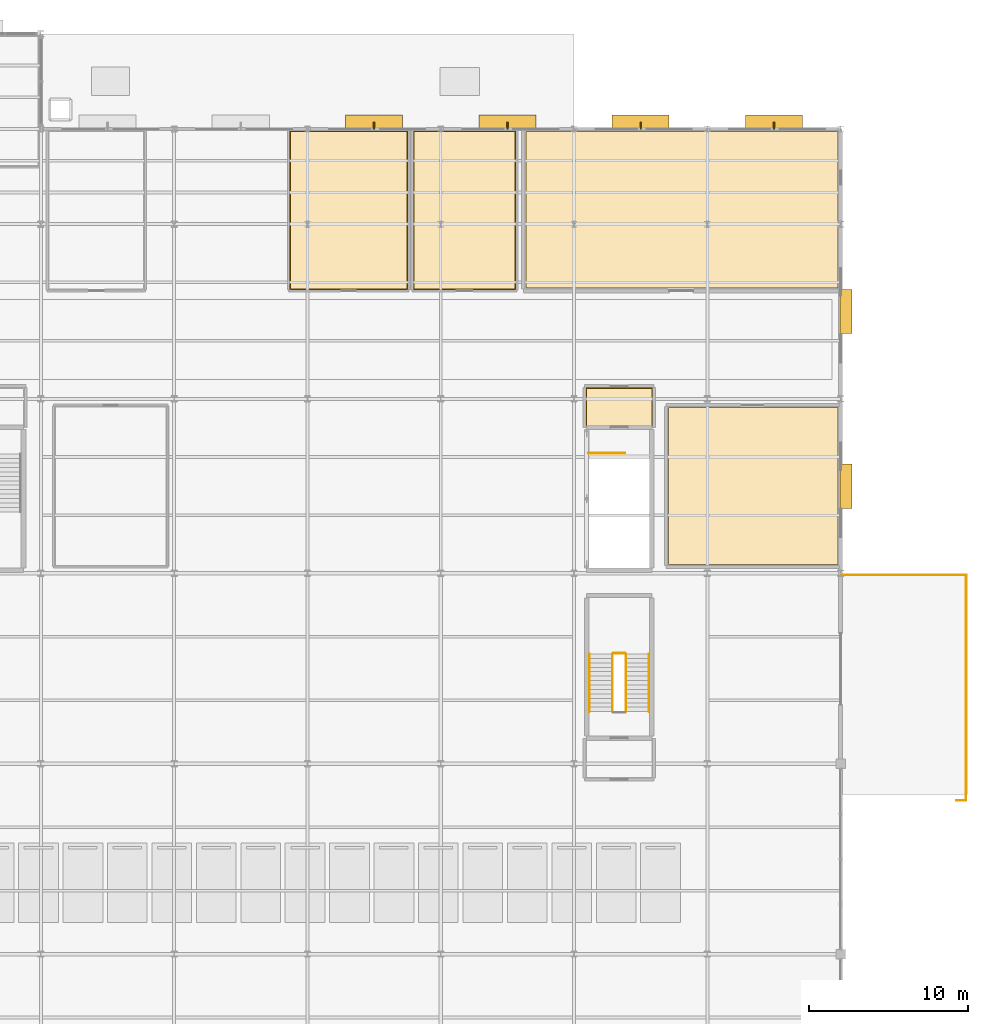
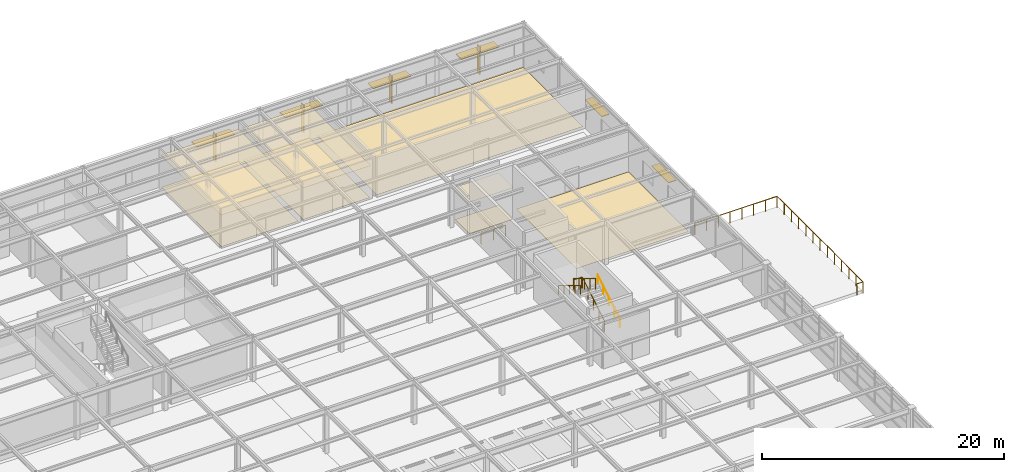
# One storey, part 82 of 82: 10 shading devices, 9 railings, 8 coverings.
"""IFC4 building model written with IfcOpenShell, lengths in metres."""

from ifc_helpers import new_model, si_unit, direction, frame, origin, origin_2d, place, context, subcontext, project, spatial, polyline, rectangle, circle, outline, extrude, material, layer, layer_set, type_object, element, save


model = new_model("IFC4")

# Units and contexts
model_context = context("Model", 3, precision=1e-05, world=origin(), true_north=direction((0.0, 1.0)))
body_context = subcontext(model_context, "Body", "Model", "MODEL_VIEW")
ifc_project = project(units=[si_unit("LENGTHUNIT", "METRE"), si_unit("AREAUNIT", "SQUARE_METRE"), si_unit("VOLUMEUNIT", "CUBIC_METRE"), si_unit("PLANEANGLEUNIT", "RADIAN"), si_unit("MASSUNIT", "GRAM", prefix="KILO")], contexts=[model_context])

# Site, building, storey
site_placement = place(None, origin())
site = spatial("IfcSite", under=ifc_project, at=site_placement, CompositionType="ELEMENT")
building_placement = place(site_placement, origin())
building = spatial("IfcBuilding", under=site, at=building_placement, Name="Sitalva Quay Ferry Terminal", CompositionType="ELEMENT")
storey_placement = place(building_placement, frame((0.0, 0.0, 5.39990234375)))
storey = spatial("IfcBuildingStorey", under=building, at=storey_placement, Name="L02", CompositionType="ELEMENT", Elevation=5.39990234375)

# Coverings
ifc_material_1 = material(Name="Moisture-Resistant Acoustic Gypsum Ceiling", Category="gypsum")
ifc_layer_1 = layer(ifc_material_1, 0.02490234375)
ifc_layer_set_1 = layer_set([ifc_layer_1], Name="Moisture-Resistant Acoustic Gypsum Ceiling")
covering_type_1 = type_object("IfcCoveringType", Name="Ceiling_GypsumMoisture_25", PredefinedType="CEILING", material=ifc_layer_set_1)
covering_1_placement = place(storey_placement, frame((0.0, 0.0, 3.22509765625)))
element("IfcCovering", 1, at=covering_1_placement, inside=storey, type_object=covering_type_1, Name="Firefighting & Lift Lobby C10 ceiling", PredefinedType="CEILING", context=body_context, shape_type="SweptSolid", body=[
    extrude(outline(polyline([(151.93994140625, 87.239990234375), (156.159912109375, 87.239990234375), (156.159912109375, 89.7099609375), (151.93994140625, 89.7099609375), (151.93994140625, 87.239990234375)])), origin(), (0.0, 0.0, 1.0), 0.02490234375),
])
covering_2_placement = place(storey_placement, frame((0.0, 0.0, 3.22509765625)))
element("IfcCovering", 2, at=covering_2_placement, inside=storey, type_object=covering_type_1, Name="L02 East Female Toilets ceiling", PredefinedType="CEILING", context=body_context, shape_type="SweptSolid", body=[
    extrude(outline(polyline([(133.27001953125, 95.8701171875), (140.72998046875, 95.8701171875), (140.72998046875, 105.8798828125), (133.27001953125, 105.8798828125), (133.27001953125, 95.8701171875)])), origin(), (0.0, 0.0, 1.0), 0.02490234375),
])
covering_3_placement = place(storey_placement, frame((0.0, 0.0, 3.22509765625)))
element("IfcCovering", 3, at=covering_3_placement, inside=storey, type_object=covering_type_1, Name="L02 East Accessible WC ceiling", PredefinedType="CEILING", context=body_context, shape_type="SweptSolid", body=[
    extrude(outline(polyline([(141.070068359375, 95.8701171875), (147.530029296875, 95.8701171875), (147.530029296875, 105.8798828125), (141.070068359375, 105.8798828125), (141.070068359375, 95.8701171875)])), origin(), (0.0, 0.0, 1.0), 0.02490234375),
])
ifc_material_2 = material(Name="Anti-Slip Porcelain Tile", Category="ceramic")
ifc_layer_2 = layer(ifc_material_2, 0.02001953125)
ifc_layer_set_2 = layer_set([ifc_layer_2], Name="Anti-Slip Porcelain Tile")
covering_type_2 = type_object("IfcCoveringType", Name="Finish_CeramicWet_20", PredefinedType="FLOORING", material=ifc_layer_set_2)
covering_4_placement = place(storey_placement, origin())
element("IfcCovering", 4, at=covering_4_placement, inside=storey, type_object=covering_type_2, Name="L02 East Female Toilets floor finish", PredefinedType="FLOORING", context=body_context, shape_type="SweptSolid", body=[
    extrude(outline(polyline([(133.320068359375, 95.919921875), (140.679931640625, 95.919921875), (140.679931640625, 105.830078125), (133.320068359375, 105.830078125), (133.320068359375, 95.919921875)])), origin(), (0.0, 0.0, 1.0), 0.02001953125),
])
covering_5_placement = place(storey_placement, origin())
element("IfcCovering", 5, at=covering_5_placement, inside=storey, type_object=covering_type_2, Name="L02 East Accessible WC floor finish", PredefinedType="FLOORING", context=body_context, shape_type="SweptSolid", body=[
    extrude(outline(polyline([(141.1201171875, 95.919921875), (147.47998046875, 95.919921875), (147.47998046875, 105.830078125), (141.1201171875, 105.830078125), (141.1201171875, 95.919921875)])), origin(), (0.0, 0.0, 1.0), 0.02001953125),
])
ifc_material_3 = material(Name="Chemical-Resistant Epoxy Screed", Category="polymer")
ifc_layer_3 = layer(ifc_material_3, 0.011962890625)
ifc_layer_set_3 = layer_set([ifc_layer_3], Name="Chemical-Resistant Epoxy Screed")
covering_type_3 = type_object("IfcCoveringType", Name="Finish_EpoxyPlant_12", PredefinedType="FLOORING", material=ifc_layer_set_3)
covering_6_placement = place(storey_placement, origin())
element("IfcCovering", 6, at=covering_6_placement, inside=storey, type_object=covering_type_3, Name="East Concourse AHU & Heat-Recovery Plant floor finish", PredefinedType="FLOORING", context=body_context, shape_type="SweptSolid", body=[
    extrude(outline(polyline([(148.169921875, 95.969970703125), (167.830078125, 95.969970703125), (167.830078125, 105.830078125), (148.169921875, 105.830078125), (148.169921875, 95.969970703125)])), origin(), (0.0, 0.0, 1.0), 0.01220703125),
])
covering_7_placement = place(storey_placement, origin())
element("IfcCovering", 7, at=covering_7_placement, inside=storey, type_object=covering_type_3, Name="Deck Maintenance & Spill Response Store floor finish", PredefinedType="FLOORING", context=body_context, shape_type="SweptSolid", body=[
    extrude(outline(polyline([(157.139892578125, 78.5400390625), (167.830078125, 78.5400390625), (167.830078125, 88.4599609375), (157.139892578125, 88.4599609375), (157.139892578125, 78.5400390625)])), origin(), (0.0, 0.0, 1.0), 0.01220703125),
])
ifc_material_4 = material(Name="Flamed Non-Slip Granite Paving", Category="masonry")
ifc_layer_4 = layer(ifc_material_4, 0.034912109375)
ifc_layer_set_4 = layer_set([ifc_layer_4], Name="Flamed Non-Slip Granite Paving")
covering_type_4 = type_object("IfcCoveringType", Name="Finish_Granite_35", PredefinedType="FLOORING", material=ifc_layer_set_4)
covering_8_placement = place(storey_placement, origin())
element("IfcCovering", 8, at=covering_8_placement, inside=storey, type_object=covering_type_4, Name="Firefighting & Lift Lobby C10 floor finish", PredefinedType="FLOORING", context=body_context, shape_type="SweptSolid", body=[
    extrude(outline(polyline([(151.989990234375, 87.2900390625), (156.110107421875, 87.2900390625), (156.110107421875, 89.659912109375), (151.989990234375, 89.659912109375), (151.989990234375, 87.2900390625)])), origin(), (0.0, 0.0, 1.0), 0.03515625),
])

# Railings
ifc_material_5 = material(Name="Galvanised Steel S275JR", Category="steel")
railing_type_1 = type_object("IfcRailingType", Name="Railing_Guard_1100", PredefinedType="GUARDRAIL", material=ifc_material_5)
railing_1_placement = place(storey_placement, frame((154.469970703125, 69.280029296875, 0.171630859375)))
element("IfcRailing", 9, at=railing_1_placement, inside=storey, type_object=railing_type_1, Name="L02 ST-09 stair guard 1", PredefinedType="GUARDRAIL", context=body_context, shape_type="SweptSolid", body=[
    extrude(circle(Radius=0.02392578125, at=origin_2d()), frame((0.0, 0.0, 1.076171875), z_axis=(0.0, 0.852850264322, 0.5221555579), x_axis=(-1.0, 0.0, 0.0)), (0.0, 0.0, 1.0), 4.267822265625),
    extrude(circle(Radius=0.02099609375, at=origin_2d()), origin(), (0.0, 0.0, 1.0), 1.052001953125),
    extrude(circle(Radius=0.02099609375, at=origin_2d()), frame((0.0, 0.909912109375, 0.55712890625)), (0.0, 0.0, 1.0), 1.052001953125),
    extrude(circle(Radius=0.02099609375, at=origin_2d()), frame((0.0, 1.81982421875, 1.1142578125)), (0.0, 0.0, 1.0), 1.052001953125),
    extrude(circle(Radius=0.02099609375, at=origin_2d()), frame((0.0, 2.72998046875, 1.67138671875)), (0.0, 0.0, 1.0), 1.052001953125),
    extrude(circle(Radius=0.02099609375, at=origin_2d()), frame((0.0, 3.639892578125, 2.228515625)), (0.0, 0.0, 1.0), 1.052001953125),
])
railing_2_placement = place(storey_placement, frame((154.419921875, 72.969970703125, 2.400146484375)))
element("IfcRailing", 10, at=railing_2_placement, inside=storey, type_object=railing_type_1, Name="L02 ST-09 stair guard 2", PredefinedType="GUARDRAIL", context=body_context, shape_type="SweptSolid", body=[
    extrude(circle(Radius=0.02392578125, at=origin_2d()), frame((0.0, 0.0, 1.076171875), z_axis=(-1.0, 0.0, 0.0), x_axis=(0.0, -1.0, 0.0)), (0.0, 0.0, 1.0), 0.739990234375),
    extrude(circle(Radius=0.02099609375, at=origin_2d()), origin(), (0.0, 0.0, 1.0), 1.052001953125),
    extrude(circle(Radius=0.02099609375, at=origin_2d()), frame((-0.739990234375, 0.0, 0.0)), (0.0, 0.0, 1.0), 1.052001953125),
])
railing_3_placement = place(storey_placement, frame((153.6298828125, 72.919921875, 2.571533203125)))
element("IfcRailing", 11, at=railing_3_placement, inside=storey, type_object=railing_type_1, Name="L02 ST-09 stair guard 3", PredefinedType="GUARDRAIL", context=body_context, shape_type="SweptSolid", body=[
    extrude(circle(Radius=0.02392578125, at=origin_2d()), frame((0.0, 0.0, 1.076171875), z_axis=(0.0, -0.852850264322, 0.5221555579), x_axis=(1.0, 0.0, 0.0)), (0.0, 0.0, 1.0), 4.267822265625),
    extrude(circle(Radius=0.02099609375, at=origin_2d()), origin(), (0.0, 0.0, 1.0), 1.052001953125),
    extrude(circle(Radius=0.02099609375, at=origin_2d()), frame((0.0, -0.909912109375, 0.55712890625)), (0.0, 0.0, 1.0), 1.052001953125),
    extrude(circle(Radius=0.02099609375, at=origin_2d()), frame((0.0, -1.81982421875, 1.1142578125)), (0.0, 0.0, 1.0), 1.052001953125),
    extrude(circle(Radius=0.02099609375, at=origin_2d()), frame((0.0, -2.72998046875, 1.67138671875)), (0.0, 0.0, 1.0), 1.052001953125),
    extrude(circle(Radius=0.02099609375, at=origin_2d()), frame((0.0, -3.639892578125, 2.228515625)), (0.0, 0.0, 1.0), 1.052001953125),
])
railing_4_placement = place(storey_placement, frame((152.1201171875, 85.570068359375, 0.0)))
element("IfcRailing", 12, at=railing_4_placement, inside=storey, type_object=railing_type_1, Name="L02 ST-10 top well guard 1", PredefinedType="GUARDRAIL", context=body_context, shape_type="SweptSolid", body=[
    extrude(circle(Radius=0.02392578125, at=origin_2d()), frame((0.0, 0.0, 1.076171875), z_axis=(1.0, 0.0, 0.0), x_axis=(0.0, 1.0, 0.0)), (0.0, 0.0, 1.0), 2.2998046875),
    extrude(circle(Radius=0.02099609375, at=origin_2d()), origin(), (0.0, 0.0, 1.0), 1.052001953125),
    extrude(circle(Radius=0.02099609375, at=origin_2d()), frame((1.14990234375, 0.0, 0.0)), (0.0, 0.0, 1.0), 1.052001953125),
    extrude(circle(Radius=0.02099609375, at=origin_2d()), frame((2.2998046875, 0.0, 0.0)), (0.0, 0.0, 1.0), 1.052001953125),
])
ifc_material_6 = material(Name="Stainless Steel 316L", Category="steel")
railing_type_2 = type_object("IfcRailingType", Name="Railing_Handrail_900", PredefinedType="HANDRAIL", material=ifc_material_6)
railing_5_placement = place(storey_placement, frame((155.929931640625, 69.280029296875, 0.171630859375)))
element("IfcRailing", 13, at=railing_5_placement, inside=storey, type_object=railing_type_2, Name="L02 ST-09 stair handrail 1", PredefinedType="HANDRAIL", context=body_context, shape_type="SweptSolid", body=[
    extrude(circle(Radius=0.02392578125, at=origin_2d()), frame((0.0, 0.0, 0.8759765625), z_axis=(0.0, 0.852850264322, 0.5221555579), x_axis=(-1.0, 0.0, 0.0)), (0.0, 0.0, 1.0), 4.267822265625),
    extrude(circle(Radius=0.02099609375, at=origin_2d()), origin(), (0.0, 0.0, 1.0), 0.851806640625),
    extrude(circle(Radius=0.02099609375, at=origin_2d()), frame((0.0, 0.909912109375, 0.55712890625)), (0.0, 0.0, 1.0), 0.851806640625),
    extrude(circle(Radius=0.02099609375, at=origin_2d()), frame((0.0, 1.81982421875, 1.1142578125)), (0.0, 0.0, 1.0), 0.851806640625),
    extrude(circle(Radius=0.02099609375, at=origin_2d()), frame((0.0, 2.72998046875, 1.67138671875)), (0.0, 0.0, 1.0), 0.851806640625),
    extrude(circle(Radius=0.02099609375, at=origin_2d()), frame((0.0, 3.639892578125, 2.228515625)), (0.0, 0.0, 1.0), 0.851806640625),
])
railing_6_placement = place(storey_placement, frame((152.169921875, 72.919921875, 2.571533203125)))
element("IfcRailing", 14, at=railing_6_placement, inside=storey, type_object=railing_type_2, Name="L02 ST-09 stair handrail 2", PredefinedType="HANDRAIL", context=body_context, shape_type="SweptSolid", body=[
    extrude(circle(Radius=0.02392578125, at=origin_2d()), frame((0.0, 0.0, 0.8759765625), z_axis=(0.0, -0.852850264322, 0.5221555579), x_axis=(1.0, 0.0, 0.0)), (0.0, 0.0, 1.0), 4.267822265625),
    extrude(circle(Radius=0.02099609375, at=origin_2d()), origin(), (0.0, 0.0, 1.0), 0.851806640625),
    extrude(circle(Radius=0.02099609375, at=origin_2d()), frame((0.0, -0.909912109375, 0.55712890625)), (0.0, 0.0, 1.0), 0.851806640625),
    extrude(circle(Radius=0.02099609375, at=origin_2d()), frame((0.0, -1.81982421875, 1.1142578125)), (0.0, 0.0, 1.0), 0.851806640625),
    extrude(circle(Radius=0.02099609375, at=origin_2d()), frame((0.0, -2.72998046875, 1.67138671875)), (0.0, 0.0, 1.0), 0.851806640625),
    extrude(circle(Radius=0.02099609375, at=origin_2d()), frame((0.0, -3.639892578125, 2.228515625)), (0.0, 0.0, 1.0), 0.851806640625),
])
ifc_material_7 = material(Name="Galvanised Steel S275JR", Category="steel")
railing_type_3 = type_object("IfcRailingType", Name="Railing_RoofEdge_1150", PredefinedType="GUARDRAIL", material=ifc_material_7)
railing_7_placement = place(storey_placement, frame((175.300048828125, 63.679931640625, 0.0)))
element("IfcRailing", 15, at=railing_7_placement, inside=storey, type_object=railing_type_3, Name="L02 L02 ramp turning deck guard 032", PredefinedType="GUARDRAIL", context=body_context, shape_type="SweptSolid", body=[
    extrude(circle(Radius=0.02392578125, at=origin_2d()), frame((0.0, 0.0, 1.1259765625), z_axis=(1.0, 0.0, 0.0), x_axis=(0.0, 1.0, 0.0)), (0.0, 0.0, 1.0), 0.599853515625),
    extrude(circle(Radius=0.02099609375, at=origin_2d()), origin(), (0.0, 0.0, 1.0), 1.101806640625),
    extrude(circle(Radius=0.02099609375, at=origin_2d()), frame((0.599853515625, 0.0, 0.0)), (0.0, 0.0, 1.0), 1.101806640625),
])
railing_8_placement = place(storey_placement, frame((175.89990234375, 63.679931640625, 0.0)))
element("IfcRailing", 16, at=railing_8_placement, inside=storey, type_object=railing_type_3, Name="L02 L02 ramp turning deck guard 033", PredefinedType="GUARDRAIL", context=body_context, shape_type="SweptSolid", body=[
    extrude(circle(Radius=0.02392578125, at=origin_2d()), frame((0.0, 0.0, 1.1259765625), z_axis=(0.0, 1.0, 0.0), x_axis=(-1.0, 0.0, 0.0)), (0.0, 0.0, 1.0), 14.219970703125),
    extrude(circle(Radius=0.02099609375, at=origin_2d()), origin(), (0.0, 0.0, 1.0), 1.101806640625),
    extrude(circle(Radius=0.02099609375, at=origin_2d()), frame((0.0, 1.18505859375, 0.0)), (0.0, 0.0, 1.0), 1.101806640625),
    extrude(circle(Radius=0.02099609375, at=origin_2d()), frame((0.0, 2.3701171875, 0.0)), (0.0, 0.0, 1.0), 1.101806640625),
    extrude(circle(Radius=0.02099609375, at=origin_2d()), frame((0.0, 3.554931640625, 0.0)), (0.0, 0.0, 1.0), 1.101806640625),
    extrude(circle(Radius=0.02099609375, at=origin_2d()), frame((0.0, 4.739990234375, 0.0)), (0.0, 0.0, 1.0), 1.101806640625),
    extrude(circle(Radius=0.02099609375, at=origin_2d()), frame((0.0, 5.925048828125, 0.0)), (0.0, 0.0, 1.0), 1.101806640625),
    extrude(circle(Radius=0.02099609375, at=origin_2d()), frame((0.0, 7.10986328125, 0.0)), (0.0, 0.0, 1.0), 1.101806640625),
    extrude(circle(Radius=0.02099609375, at=origin_2d()), frame((0.0, 8.294921875, 0.0)), (0.0, 0.0, 1.0), 1.101806640625),
    extrude(circle(Radius=0.02099609375, at=origin_2d()), frame((0.0, 9.47998046875, 0.0)), (0.0, 0.0, 1.0), 1.101806640625),
    extrude(circle(Radius=0.02099609375, at=origin_2d()), frame((0.0, 10.6650390625, 0.0)), (0.0, 0.0, 1.0), 1.101806640625),
    extrude(circle(Radius=0.02099609375, at=origin_2d()), frame((0.0, 11.85009765625, 0.0)), (0.0, 0.0, 1.0), 1.101806640625),
    extrude(circle(Radius=0.02099609375, at=origin_2d()), frame((0.0, 13.034912109375, 0.0)), (0.0, 0.0, 1.0), 1.101806640625),
    extrude(circle(Radius=0.02099609375, at=origin_2d()), frame((0.0, 14.219970703125, 0.0)), (0.0, 0.0, 1.0), 1.101806640625),
])
railing_9_placement = place(storey_placement, frame((175.89990234375, 77.89990234375, 0.0)))
element("IfcRailing", 17, at=railing_9_placement, inside=storey, type_object=railing_type_3, Name="L02 L02 ramp turning deck guard 034", PredefinedType="GUARDRAIL", context=body_context, shape_type="SweptSolid", body=[
    extrude(circle(Radius=0.02392578125, at=origin_2d()), frame((0.0, 0.0, 1.1259765625), z_axis=(-1.0, 0.0, 0.0), x_axis=(0.0, -1.0, 0.0)), (0.0, 0.0, 1.0), 7.849853515625),
    extrude(circle(Radius=0.02099609375, at=origin_2d()), origin(), (0.0, 0.0, 1.0), 1.101806640625),
    extrude(circle(Radius=0.02099609375, at=origin_2d()), frame((-1.121337890625, 0.0, 0.0)), (0.0, 0.0, 1.0), 1.101806640625),
    extrude(circle(Radius=0.02099609375, at=origin_2d()), frame((-2.242919921875, 0.0, 0.0)), (0.0, 0.0, 1.0), 1.101806640625),
    extrude(circle(Radius=0.02099609375, at=origin_2d()), frame((-3.3642578125, 0.0, 0.0)), (0.0, 0.0, 1.0), 1.101806640625),
    extrude(circle(Radius=0.02099609375, at=origin_2d()), frame((-4.485595703125, 0.0, 0.0)), (0.0, 0.0, 1.0), 1.101806640625),
    extrude(circle(Radius=0.02099609375, at=origin_2d()), frame((-5.60693359375, 0.0, 0.0)), (0.0, 0.0, 1.0), 1.101806640625),
    extrude(circle(Radius=0.02099609375, at=origin_2d()), frame((-6.728515625, 0.0, 0.0)), (0.0, 0.0, 1.0), 1.101806640625),
    extrude(circle(Radius=0.02099609375, at=origin_2d()), frame((-7.849853515625, 0.0, 0.0)), (0.0, 0.0, 1.0), 1.101806640625),
])

# Shading devices
ifc_material_8 = material(Name="Anodised Marine Aluminium 6063-T6", Category="aluminium")
shading_device_type_1 = type_object("IfcShadingDeviceType", Name="Shade_HorizontalLouvre_750", PredefinedType="USERDEFINED", material=ifc_material_8)
for number, where, z_axis, x_axis, name in (
    (18, (168.344970703125, 83.5, 2.66259765625), (0.0, 0.0, 1.0), (1.0, 0.0, 0.0), "Monsoon sunshade canopy BS-083"),
    (19, (168.344970703125, 94.5, 2.66259765625), (0.0, 0.0, 1.0), (1.0, 0.0, 0.0), "Monsoon sunshade canopy BS-084"),
):
    element("IfcShadingDevice", number, at=place(storey_placement, frame(where, z_axis=z_axis, x_axis=x_axis)), inside=storey, type_object=shading_device_type_1, Name=name, ObjectType="SUNSHADE", PredefinedType="USERDEFINED", context=body_context, shape_type="SweptSolid", body=[
        extrude(rectangle(XDim=0.75, YDim=2.800048828125, at=origin_2d()), origin(), (0.0, 0.0, 1.0), 0.074951171875),
    ])
ifc_material_9 = material(Name="Anodised Marine Aluminium 6063-T6", Category="aluminium")
shading_device_type_2 = type_object("IfcShadingDeviceType", Name="Shade_HorizontalLouvre_900", PredefinedType="USERDEFINED", material=ifc_material_9)
for number, where, z_axis, x_axis, name in (
    (20, (138.60009765625, 106.419921875, 2.70751953125), (0.0, 0.0, 1.0), (1.0, 0.0, 0.0), "Monsoon sunshade canopy BS-075"),
    (21, (147.0, 106.419921875, 2.70751953125), (0.0, 0.0, 1.0), (1.0, 0.0, 0.0), "Monsoon sunshade canopy BS-077"),
    (22, (155.39990234375, 106.419921875, 2.70751953125), (0.0, 0.0, 1.0), (1.0, 0.0, 0.0), "Monsoon sunshade canopy BS-079"),
    (23, (163.800048828125, 106.419921875, 2.70751953125), (0.0, 0.0, 1.0), (1.0, 0.0, 0.0), "Monsoon sunshade canopy BS-081"),
):
    element("IfcShadingDevice", number, at=place(storey_placement, frame(where, z_axis=z_axis, x_axis=x_axis)), inside=storey, type_object=shading_device_type_2, Name=name, ObjectType="SUNSHADE", PredefinedType="USERDEFINED", context=body_context, shape_type="SweptSolid", body=[
        extrude(rectangle(XDim=3.60009765625, YDim=0.89990234375, at=origin_2d()), origin(), (0.0, 0.0, 1.0), 0.0849609375),
    ])
ifc_material_10 = material(Name="Anodised Marine Aluminium 6063-T6", Category="aluminium")
shading_device_type_3 = type_object("IfcShadingDeviceType", Name="Shade_VerticalFin_450", PredefinedType="JALOUSIE", material=ifc_material_10)
for number, where, z_axis, x_axis, name in (
    (24, (138.60009765625, 106.195068359375, 0.60009765625), (0.0, 0.0, 1.0), (1.0, 0.0, 0.0), "Vertical monsoon fin BS-076"),
    (25, (147.0, 106.195068359375, 0.60009765625), (0.0, 0.0, 1.0), (1.0, 0.0, 0.0), "Vertical monsoon fin BS-078"),
    (26, (155.39990234375, 106.195068359375, 0.60009765625), (0.0, 0.0, 1.0), (1.0, 0.0, 0.0), "Vertical monsoon fin BS-080"),
    (27, (163.800048828125, 106.195068359375, 0.60009765625), (0.0, 0.0, 1.0), (1.0, 0.0, 0.0), "Vertical monsoon fin BS-082"),
):
    element("IfcShadingDevice", number, at=place(storey_placement, frame(where, z_axis=z_axis, x_axis=x_axis)), inside=storey, type_object=shading_device_type_3, Name=name, PredefinedType="JALOUSIE", context=body_context, shape_type="SweptSolid", body=[
        extrude(rectangle(XDim=0.080078125, YDim=0.449951171875, at=origin_2d()), origin(), (0.0, 0.0, 1.0), 2.800048828125),
    ])

save(model, "model.ifc")
